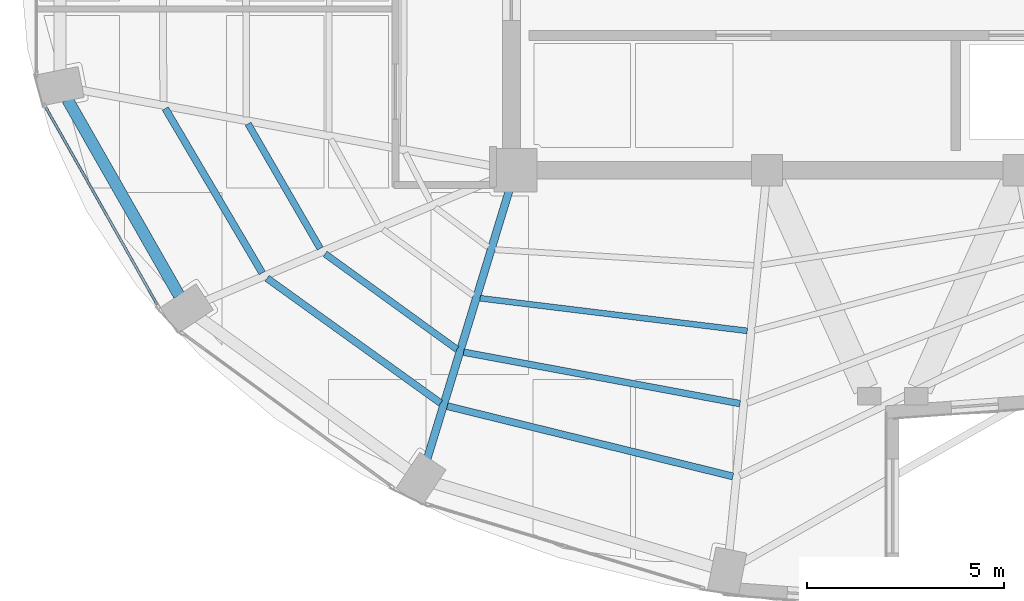
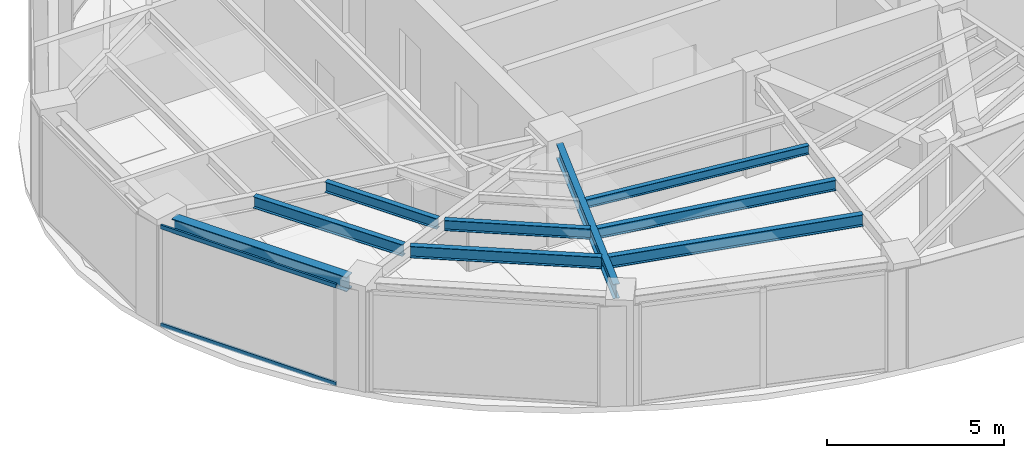
# One storey, part 3 of 22: 9 beams, 2 members, 1 element without a shape of its own.
"""IFC4 building model written with IfcOpenShell, lengths in metres."""

import ifcopenshell
import ifcopenshell.guid

model = None  # the IFC model being written
_history = None  # IfcOwnerHistory: only IFC2X3 demands one
_inside = {}  # id of a spatial element -> (the spatial element, [elements in it])
_under = {}  # id of a project, library or spatial element -> (it, [spatial elements below it])
_declared = {}  # id of a project -> (the project, [libraries it declares])
_typed = {}  # id of a type object -> (the type object, [elements of that type])
_made_of = {}  # id of a material, layer set ... -> (it, [elements and type objects made of it])


def new_model(schema):
    """Start an empty IFC model of exactly this schema.

    Asked for "IFC4X3", IfcOpenShell would pick the latest addendum, in which some entities
    have other attributes; the version numbers below select the first issue.
    IFC2X3 requires an IfcOwnerHistory on every rooted entity: one is made here for all.
    """
    global model, _history
    if schema == "IFC4X3":
        model = ifcopenshell.file(schema_version=(4, 3, 0, 0))
    else:
        model = ifcopenshell.file(schema=schema)
    _inside.clear()
    _under.clear()
    _declared.clear()
    _typed.clear()
    _made_of.clear()
    _history = None
    if model.schema == "IFC2X3":
        org = make("IfcOrganization", Name="unknown")
        user = make(
            "IfcPersonAndOrganization",
            ThePerson=make("IfcPerson", FamilyName="unknown"),
            TheOrganization=org,
        )
        app = make(
            "IfcApplication",
            ApplicationDeveloper=org,
            Version="unknown",
            ApplicationFullName="unknown",
            ApplicationIdentifier="unknown",
        )
        _history = make(
            "IfcOwnerHistory",
            OwningUser=user,
            OwningApplication=app,
            ChangeAction="ADDED",
            CreationDate=0,
        )
    return model


def make(cls, **values):
    """One entity of the class cls with the attributes given. An attribute that is None is left unset."""
    return model.create_entity(
        cls, **{name: value for name, value in values.items() if value is not None}
    )


def rooted(cls, **values):
    """An entity with a GlobalId (a new one), such as an element, a storey or a relation."""
    return make(cls, GlobalId=ifcopenshell.guid.new(), OwnerHistory=_history, **values)


def si_unit(unit_type, name, prefix=None):
    """IfcSIUnit, for example si_unit("LENGTHUNIT", "METRE", prefix="MILLI")."""
    return make("IfcSIUnit", UnitType=unit_type, Prefix=prefix, Name=name)


def assignment(units):
    """IfcUnitAssignment: the units of a project."""
    return None if units is None else make("IfcUnitAssignment", Units=units)


def point(xyz):
    """IfcCartesianPoint."""
    return None if xyz is None else make("IfcCartesianPoint", Coordinates=xyz)


def direction(xyz):
    """IfcDirection."""
    return None if xyz is None else make("IfcDirection", DirectionRatios=xyz)


def frame(location, z_axis=None, x_axis=None):
    """IfcAxis2Placement3D, a coordinate frame: its origin and axes. An axis left out is left unset."""
    return make(
        "IfcAxis2Placement3D",
        Location=point(location),
        Axis=direction(z_axis),
        RefDirection=direction(x_axis),
    )


def frame_2d(location, x_axis=None):
    """IfcAxis2Placement2D, a coordinate frame in the plane: its origin and x axis."""
    return make(
        "IfcAxis2Placement2D", Location=point(location), RefDirection=direction(x_axis)
    )


def origin():
    """The frame at (0, 0, 0) with its axes left unset."""
    return frame((0.0, 0.0, 0.0))


def origin_2d():
    """The frame at (0, 0) in the plane with its x axis left unset."""
    return frame_2d((0.0, 0.0))


def place(relative_to, where):
    """IfcLocalPlacement: puts the frame where relative to a parent placement (None: the world)."""
    return make(
        "IfcLocalPlacement", PlacementRelTo=relative_to, RelativePlacement=where
    )


def context(
    kind, dimensions, precision=None, world=None, true_north=None, identifier=None
):
    """IfcGeometricRepresentationContext, for example the 3D "Model" context."""
    return make(
        "IfcGeometricRepresentationContext",
        ContextIdentifier=identifier,
        ContextType=kind,
        CoordinateSpaceDimension=dimensions,
        Precision=precision,
        WorldCoordinateSystem=world,
        TrueNorth=true_north,
    )


def subcontext(parent, identifier, kind, view, scale=None):
    """IfcGeometricRepresentationSubContext, for example "Body" below "Model"."""
    return make(
        "IfcGeometricRepresentationSubContext",
        ContextIdentifier=identifier,
        ContextType=kind,
        ParentContext=parent,
        TargetScale=scale,
        TargetView=view,
    )


def project(units=None, contexts=None):
    """IfcProject with its units and contexts."""
    return rooted(
        "IfcProject",
        Name="project",
        RepresentationContexts=contexts,
        UnitsInContext=assignment(units),
    )


def spatial(cls, under=None, at=None, **own):
    """A site, building, storey or space (cls), placed at a placement, below another one or the project."""
    s = rooted(cls, ObjectPlacement=at, **own)
    if under is not None:
        _under.setdefault(under.id(), (under, []))[1].append(s)
    return s


def profile(cls, at=None, kind="AREA", **sizes):
    """A parametric profile (cls). Its sizes go by their IFC names, for example OverallWidth=200.0."""
    return make(cls, ProfileType=kind, Position=at, **sizes)


def hollow_rectangle(**sizes):
    """IfcRectangleHollowProfileDef."""
    return profile("IfcRectangleHollowProfileDef", **sizes)


def i_section(**sizes):
    """IfcIShapeProfileDef."""
    return profile("IfcIShapeProfileDef", **sizes)


def extrude(swept, where, along, depth):
    """IfcExtrudedAreaSolid: the profile swept, set in the frame where, extruded along a direction by depth."""
    return make(
        "IfcExtrudedAreaSolid",
        SweptArea=swept,
        Position=where,
        ExtrudedDirection=direction(along),
        Depth=depth,
    )


def shape(context_of_items, identifier, shape_type, items):
    """IfcShapeRepresentation: the items that make up one representation, for example the "Body"."""
    return make(
        "IfcShapeRepresentation",
        ContextOfItems=context_of_items,
        RepresentationIdentifier=identifier,
        RepresentationType=shape_type,
        Items=items,
    )


def material(Name=None, Category=None):
    """IfcMaterial."""
    return make("IfcMaterial", Name=Name, Category=Category)


def layer(
    of_material, thickness, ventilated=None, Name=None, Category=None, Priority=None
):
    """IfcMaterialLayer: one layer of a wall or slab, of a material (None: an air gap)."""
    return make(
        "IfcMaterialLayer",
        Material=of_material,
        LayerThickness=thickness,
        IsVentilated=ventilated,
        Name=Name,
        Category=Category,
        Priority=Priority,
    )


def layer_set(layers, Name=None):
    """IfcMaterialLayerSet."""
    return make("IfcMaterialLayerSet", MaterialLayers=layers, LayerSetName=Name)


def material_profile(
    of_material, cross_section, Name=None, Category=None, Priority=None
):
    """IfcMaterialProfile: a cross section and its material."""
    return make(
        "IfcMaterialProfile",
        Name=Name,
        Material=of_material,
        Profile=cross_section,
        Priority=Priority,
        Category=Category,
    )


def profile_set(profiles, Name=None, composite=None):
    """IfcMaterialProfileSet."""
    return make(
        "IfcMaterialProfileSet",
        Name=Name,
        MaterialProfiles=profiles,
        CompositeProfile=composite,
    )


def made_of(thing, what):
    """Note that an element or type object is made of a material, layer set ...; save() writes the relation."""
    if what is not None:
        _made_of.setdefault(what.id(), (what, []))[1].append(thing)
    return thing


def type_object(cls, material=None, **own):
    """A type object (cls), such as IfcWallType, which elements share."""
    return made_of(rooted(cls, **own), material)


def element(
    cls,
    number,
    at=None,
    inside=None,
    cuts=None,
    type_object=None,
    material=None,
    context=None,
    identifier="Body",
    shape_type=None,
    held_by="IfcProductDefinitionShape",
    body=None,
    shapes=None,
    **own,
):
    """One element of the class cls, such as IfcWall. Its Tag is "e" and its number.

    at: its placement. inside: the storey or other place that contains it. cuts: it is an
    opening in that element (IfcRelVoidsElement). A single representation is given by context,
    identifier, shape_type and body (its items); several are given by shapes. held_by: the class
    of the entity that holds the representations. save() writes the other relations.
    """
    e = rooted(cls, Tag="e%d" % number, ObjectPlacement=at, **own)
    if body is not None:
        shapes = [shape(context, identifier, shape_type, body)]
    if shapes is not None:
        e.Representation = make(held_by, Representations=shapes)
    if inside is not None:
        _inside.setdefault(inside.id(), (inside, []))[1].append(e)
    if cuts is not None:
        rooted(
            "IfcRelVoidsElement", RelatingBuildingElement=cuts, RelatedOpeningElement=e
        )
    if type_object is not None:
        _typed.setdefault(type_object.id(), (type_object, []))[1].append(e)
    return made_of(e, material)


def aggregate(whole, parts):
    """IfcRelAggregates: a whole, such as a stair, and the parts it consists of."""
    return rooted("IfcRelAggregates", RelatingObject=whole, RelatedObjects=parts)


def save(model, path):
    """Write the relations noted so far, then the file.

    IfcRelAggregates (storeys below a building ...), IfcRelContainedInSpatialStructure (elements
    in a storey), IfcRelDefinesByType, IfcRelAssociatesMaterial and IfcRelDeclares: one each for
    every whole, place, type object, material and project.
    """
    for whole, parts in _under.values():
        aggregate(whole, parts)
    for where, things in _inside.values():
        rooted(
            "IfcRelContainedInSpatialStructure",
            RelatedElements=things,
            RelatingStructure=where,
        )
    for kind, things in _typed.values():
        rooted("IfcRelDefinesByType", RelatedObjects=things, RelatingType=kind)
    for what, things in _made_of.values():
        rooted("IfcRelAssociatesMaterial", RelatedObjects=things, RelatingMaterial=what)
    for by, libraries in _declared.values():
        rooted("IfcRelDeclares", RelatingContext=by, RelatedDefinitions=libraries)
    model.write(path)


model = new_model("IFC4")

# Units and contexts
model_context = context("Model", 3, precision=1e-05, world=origin(), true_north=direction((0.0, 1.0)))
body_context = subcontext(model_context, "Body", "Model", "MODEL_VIEW")
ifc_project = project(units=[si_unit("LENGTHUNIT", "METRE"), si_unit("AREAUNIT", "SQUARE_METRE"), si_unit("VOLUMEUNIT", "CUBIC_METRE"), si_unit("PLANEANGLEUNIT", "RADIAN"), si_unit("MASSUNIT", "GRAM", prefix="KILO")], contexts=[model_context])

# Site, building, storey
site_placement = place(None, origin())
site = spatial("IfcSite", under=ifc_project, at=site_placement, CompositionType="ELEMENT")
building_placement = place(site_placement, origin())
building = spatial("IfcBuilding", under=site, at=building_placement, Name="Lazwardi Medical Tower", CompositionType="ELEMENT")
storey_placement = place(building_placement, frame((0.0, 0.0, 238.60791015625)))
storey = spatial("IfcBuildingStorey", under=building, at=storey_placement, Name="L62", CompositionType="ELEMENT", Elevation=238.60791015625)

# Beams
ifc_material_1 = material(Name="Steel S355", Category="steel")
ifc_material_profile_1 = material_profile(ifc_material_1, i_section(OverallWidth=0.300048828125, OverallDepth=0.5, WebThickness=0.014404296875, FlangeThickness=0.028076171875, at=origin_2d()), Name="HEB 500")
ifc_profile_set_1 = profile_set([ifc_material_profile_1], Name="Steel S355")
beam_type_1 = type_object("IfcBeamType", Name="BM-RB-Z4", PredefinedType="BEAM", material=ifc_profile_set_1)
beam_1_placement = place(storey_placement, frame((15.008056640625, 22.1982421875, 3.197998046875), z_axis=(0.495125273299, -0.868821594886, 0.0), x_axis=(0.868821594886, 0.495125273299, 0.0)))
element("IfcBeam", 1, at=beam_1_placement, inside=storey, type_object=beam_type_1, Name="Ring beam RB-05 B13 L62", PredefinedType="BEAM", context=body_context, shape_type="SweptSolid", body=[
    extrude(i_section(OverallWidth=0.300048828125, OverallDepth=0.5, WebThickness=0.014404296875, FlangeThickness=0.028076171875, at=origin_2d()), origin(), (0.0, 0.0, 1.0), 5.734130859375),
])
ifc_material_profile_2 = material_profile(ifc_material_1, i_section(OverallWidth=0.199951171875, OverallDepth=0.5, WebThickness=0.01025390625, FlangeThickness=0.01611328125, at=origin_2d()), Name="IPE 500")
ifc_profile_set_2 = profile_set([ifc_material_profile_2], Name="Steel S355")
beam_type_2 = type_object("IfcBeamType", Name="BM-RG-W3", PredefinedType="BEAM", material=ifc_profile_set_2)
beam_2_placement = place(storey_placement, frame((24.156005859375, 13.0576171875, 3.197998046875), z_axis=(0.292276716539, 0.956333791607, 0.0), x_axis=(-0.956333791607, 0.292276716539, 0.0)))
element("IfcBeam", 2, at=beam_2_placement, inside=storey, type_object=beam_type_2, Name="Radial girder RG-04 R15 L62", PredefinedType="BEAM", context=body_context, shape_type="SweptSolid", body=[
    extrude(i_section(OverallWidth=0.199951171875, OverallDepth=0.5, WebThickness=0.01025390625, FlangeThickness=0.01611328125, at=origin_2d()), origin(), (0.0, 0.0, 1.0), 7.142822265625),
])
ifc_material_profile_3 = material_profile(ifc_material_1, i_section(OverallWidth=0.179931640625, OverallDepth=0.39990234375, WebThickness=0.008544921875, FlangeThickness=0.013427734375, at=origin_2d()), Name="IPE 400")
ifc_profile_set_3 = profile_set([ifc_material_profile_3], Name="Steel S355")
beam_type_3 = type_object("IfcBeamType", Name="BM-SJ-01", PredefinedType="JOIST", material=ifc_profile_set_3)
beam_3_placement = place(storey_placement, frame((17.495849609375, 21.969482421875, 3.248046875), z_axis=(0.507710311367, -0.861527851977, 0.0), x_axis=(0.861527851977, 0.507710311367, 0.0)))
element("IfcBeam", 3, at=beam_3_placement, inside=storey, type_object=beam_type_3, Name="Secondary joist SJ-01 R1 B13 L62", PredefinedType="JOIST", context=body_context, shape_type="SweptSolid", body=[
    extrude(i_section(OverallWidth=0.179931640625, OverallDepth=0.39990234375, WebThickness=0.008544921875, FlangeThickness=0.013427734375, at=origin_2d()), origin(), (0.0, 0.0, 1.0), 4.852783203125),
])
beam_4_placement = place(storey_placement, frame((20.085205078125, 17.651123046875, 3.248046875), z_axis=(0.811889581337, -0.58381102055, 0.0), x_axis=(0.58381102055, 0.811889581337, 0.0)))
element("IfcBeam", 4, at=beam_4_placement, inside=storey, type_object=beam_type_3, Name="Secondary joist SJ-01 R1 B14 L62", PredefinedType="JOIST", context=body_context, shape_type="SweptSolid", body=[
    extrude(i_section(OverallWidth=0.179931640625, OverallDepth=0.39990234375, WebThickness=0.008544921875, FlangeThickness=0.013427734375, at=origin_2d()), origin(), (0.0, 0.0, 1.0), 5.433349609375),
])
beam_5_placement = place(storey_placement, frame((24.665771484375, 14.40087890625, 3.248046875), z_axis=(0.971041669317, -0.238910184904, 0.0), x_axis=(0.238910184904, 0.971041669317, 0.0)))
element("IfcBeam", 5, at=beam_5_placement, inside=storey, type_object=beam_type_3, Name="Secondary joist SJ-01 R1 B15 L62", PredefinedType="JOIST", context=body_context, shape_type="SweptSolid", body=[
    extrude(i_section(OverallWidth=0.179931640625, OverallDepth=0.39990234375, WebThickness=0.008544921875, FlangeThickness=0.013427734375, at=origin_2d()), origin(), (0.0, 0.0, 1.0), 7.482421875),
])
ifc_material_profile_4 = material_profile(ifc_material_1, i_section(OverallWidth=0.169921875, OverallDepth=0.360107421875, WebThickness=0.008056640625, FlangeThickness=0.0126953125, at=origin_2d()), Name="IPE 360")
ifc_profile_set_4 = profile_set([ifc_material_profile_4], Name="Steel S355")
beam_type_4 = type_object("IfcBeamType", Name="BM-SJ-02", PredefinedType="JOIST", material=ifc_profile_set_4)
beam_6_placement = place(storey_placement, frame((19.601806640625, 21.58056640625, 3.26806640625), z_axis=(0.500655179543, -0.865646805109, 0.0), x_axis=(0.865646805109, 0.500655179543, 0.0)))
element("IfcBeam", 6, at=beam_6_placement, inside=storey, type_object=beam_type_4, Name="Secondary joist SJ-02 R2 B13 L62", PredefinedType="JOIST", context=body_context, shape_type="SweptSolid", body=[
    extrude(i_section(OverallWidth=0.169921875, OverallDepth=0.360107421875, WebThickness=0.008056640625, FlangeThickness=0.0126953125, at=origin_2d()), origin(), (0.0, 0.0, 1.0), 3.662109375),
])
beam_7_placement = place(storey_placement, frame((21.559814453125, 18.2724609375, 3.26806640625), z_axis=(0.810164229155, -0.586202969796, 0.0), x_axis=(0.586202969796, 0.810164229155, 0.0)))
element("IfcBeam", 7, at=beam_7_placement, inside=storey, type_object=beam_type_4, Name="Secondary joist SJ-02 R2 B14 L62", PredefinedType="JOIST", context=body_context, shape_type="SweptSolid", body=[
    extrude(i_section(OverallWidth=0.169921875, OverallDepth=0.360107421875, WebThickness=0.008056640625, FlangeThickness=0.0126953125, at=origin_2d()), origin(), (0.0, 0.0, 1.0), 4.14013671875),
])
beam_8_placement = place(storey_placement, frame((25.08447265625, 15.7724609375, 3.26806640625), z_axis=(0.983132476587, -0.182894870019, 0.0), x_axis=(0.182894870019, 0.983132476587, 0.0)))
element("IfcBeam", 8, at=beam_8_placement, inside=storey, type_object=beam_type_4, Name="Secondary joist SJ-02 R2 B15 L62", PredefinedType="JOIST", context=body_context, shape_type="SweptSolid", body=[
    extrude(i_section(OverallWidth=0.169921875, OverallDepth=0.360107421875, WebThickness=0.008056640625, FlangeThickness=0.0126953125, at=origin_2d()), origin(), (0.0, 0.0, 1.0), 7.15087890625),
])
ifc_material_profile_5 = material_profile(ifc_material_1, i_section(OverallWidth=0.14990234375, OverallDepth=0.300048828125, WebThickness=0.007080078125, FlangeThickness=0.0107421875, at=origin_2d()), Name="IPE 300")
ifc_profile_set_5 = profile_set([ifc_material_profile_5], Name="Steel S355")
beam_type_5 = type_object("IfcBeamType", Name="BM-SJ-03", PredefinedType="JOIST", material=ifc_profile_set_5)
beam_9_placement = place(storey_placement, frame((25.5029296875, 17.14453125, 3.298095703125), z_axis=(0.992634689535, -0.121146081783, 0.0), x_axis=(0.121146081783, 0.992634689535, 0.0)))
element("IfcBeam", 9, at=beam_9_placement, inside=storey, type_object=beam_type_5, Name="Secondary joist SJ-03 R3 B15 L62", PredefinedType="JOIST", context=body_context, shape_type="SweptSolid", body=[
    extrude(i_section(OverallWidth=0.14990234375, OverallDepth=0.300048828125, WebThickness=0.007080078125, FlangeThickness=0.0107421875, at=origin_2d()), origin(), (0.0, 0.0, 1.0), 6.845947265625),
])

# Curtain wall, members
ifc_material_2 = material(Name="Anodised bronze aluminium and solar control glazing", Category="aluminium")
ifc_layer = layer(ifc_material_2, 0.18994140625)
ifc_layer_set = layer_set([ifc_layer], Name="Anodised bronze aluminium and solar control glazing")
curtain_wall_type = type_object("IfcCurtainWallType", Name="CW-SYS-04", PredefinedType="NOTDEFINED", material=ifc_layer_set)
curtain_wall_placement = place(storey_placement, origin())
curtain_wall = element("IfcCurtainWall", 10, at=curtain_wall_placement, inside=storey, type_object=curtain_wall_type, Name="L62 Unitised bronze curtain wall CW-04", PredefinedType="NOTDEFINED")
ifc_material_3 = material(Name="Anodised bronze aluminium", Category="aluminium")
ifc_material_profile_6 = material_profile(ifc_material_3, hollow_rectangle(XDim=0.06494140625, YDim=0.139892578125, WallThickness=0.00341796875, at=origin_2d()), Name="ALU-TRANSOM 140x65x3.5")
ifc_profile_set_6 = profile_set([ifc_material_profile_6], Name="Anodised bronze aluminium")
member_type = type_object("IfcMemberType", Name="CW-TRN-03", PredefinedType="USERDEFINED", material=ifc_profile_set_6)
member_1_placement = place(storey_placement, frame((14.458740234375, 21.993408203125, 0.032470703125), z_axis=(0.491897887635, -0.870652897623, 0.0), x_axis=(0.870652897623, 0.491897887635, 0.0)))
member_1 = element("IfcMember", 11, at=member_1_placement, type_object=member_type, Name="CW-04 transom 1.1", ObjectType="TRANSOM", PredefinedType="USERDEFINED", context=body_context, shape_type="SweptSolid", body=[
    extrude(hollow_rectangle(XDim=0.06494140625, YDim=0.139892578125, WallThickness=0.00341796875, at=origin_2d()), origin(), (0.0, 0.0, 1.0), 5.7548828125),
])
member_2_placement = place(storey_placement, frame((14.458740234375, 21.993408203125, 3.41552734375), z_axis=(0.491897887635, -0.870652897623, 0.0), x_axis=(0.870652897623, 0.491897887635, 0.0)))
member_2 = element("IfcMember", 12, at=member_2_placement, type_object=member_type, Name="CW-04 transom 1.2", ObjectType="TRANSOM", PredefinedType="USERDEFINED", context=body_context, shape_type="SweptSolid", body=[
    extrude(hollow_rectangle(XDim=0.06494140625, YDim=0.139892578125, WallThickness=0.00341796875, at=origin_2d()), origin(), (0.0, 0.0, 1.0), 5.7548828125),
])
aggregate(curtain_wall, [member_1, member_2])

save(model, "model.ifc")
